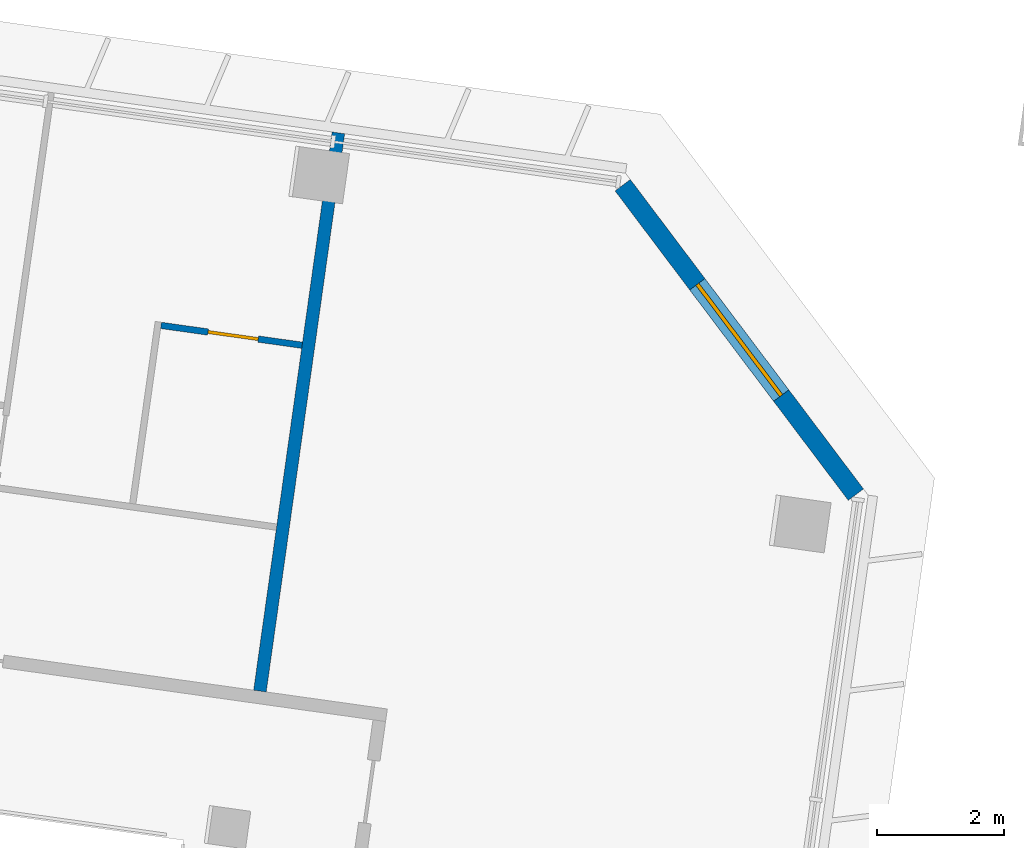
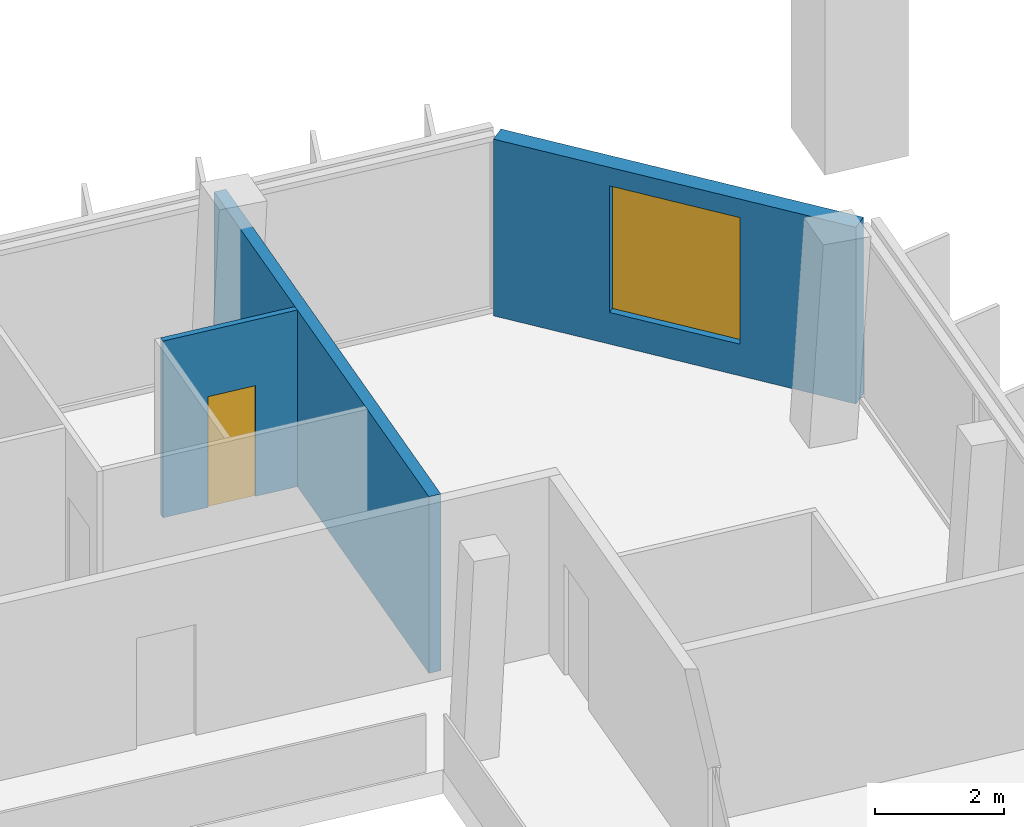
# One storey, part 16 of 23: 3 walls, 1 door, 1 window, 2 openings.
"""IFC4 building model written with IfcOpenShell, lengths in metres."""

from ifc_helpers import new_model, si_unit, direction, frame, frame_2d, origin, place, context, subcontext, project, spatial, rectangle, extrude, material, layer, layer_set, type_object, element, fill, save


model = new_model("IFC4")

# Units and contexts
model_context = context("Model", 3, precision=1e-05, world=origin(), true_north=direction((0.0, 1.0)))
body_context = subcontext(model_context, "Body", "Model", "MODEL_VIEW")
ifc_project = project(units=[si_unit("LENGTHUNIT", "METRE"), si_unit("AREAUNIT", "SQUARE_METRE"), si_unit("VOLUMEUNIT", "CUBIC_METRE"), si_unit("PLANEANGLEUNIT", "RADIAN"), si_unit("MASSUNIT", "GRAM", prefix="KILO")], contexts=[model_context])

# Site, building, storey
site_placement = place(None, origin())
site = spatial("IfcSite", under=ifc_project, at=site_placement, CompositionType="ELEMENT")
building_placement = place(site_placement, origin())
building = spatial("IfcBuilding", under=site, at=building_placement, Name="Mirante Cascada Hotel Towers", CompositionType="ELEMENT")
storey_placement = place(building_placement, frame((0.0, 0.0, 180.2)))
storey = spatial("IfcBuildingStorey", under=building, at=storey_placement, Name="L42", CompositionType="ELEMENT", Elevation=180.2)

# Wall
ifc_material_1 = material(Name="Fire-rated plasterboard on metal studs")
ifc_layer_1 = layer(ifc_material_1, 0.2)
ifc_layer_set_1 = layer_set([ifc_layer_1], Name="Compartment wall 200 EI 120")
wall_type_1 = type_object("IfcWallType", Name="Compartment wall 200 EI 120", PredefinedType="PARTITIONING", material=ifc_layer_set_1)
wall_1_placement = place(storey_placement, frame((-35.4076, 17.9467, 0.0), z_axis=(0.0, 0.0, 1.0), x_axis=(-0.1391684, -0.9902687, 0.0)))
element("IfcWall", 1, at=wall_1_placement, inside=storey, type_object=wall_type_1, Name="Wall 1-L42-28", PredefinedType="PARTITIONING", context=body_context, shape_type="SweptSolid", body=[
    extrude(rectangle(XDim=8.9, YDim=0.2, at=frame_2d((4.45, 0.0))), origin(), (0.0, 0.0, 1.0), 3.35),
])

# Wall, opening, door
ifc_material_2 = material(Name="Plasterboard on metal studs")
ifc_layer_2 = layer(ifc_material_2, 0.1)
ifc_layer_set_2 = layer_set([ifc_layer_2], Name="Partition 100")
wall_type_2 = type_object("IfcWallType", Name="Partition 100", PredefinedType="PARTITIONING", material=ifc_layer_set_2)
wall_2_placement = place(storey_placement, frame((-38.2079, 14.9069, 0.0), z_axis=(0.0, 0.0, 1.0), x_axis=(0.9902643, -0.1391997, 0.0)))
wall_2 = element("IfcWall", 2, at=wall_2_placement, inside=storey, type_object=wall_type_2, Name="Wall 1-L42-18", PredefinedType="PARTITIONING", context=body_context, shape_type="SweptSolid", body=[
    extrude(rectangle(XDim=2.25, YDim=0.1, at=frame_2d((1.125, 0.0))), origin(), (0.0, 0.0, 1.0), 3.35),
])
opening_1_placement = place(wall_2_placement, frame((0.75, 0.0, 0.0)))
opening_1 = element("IfcOpeningElement", 3, at=opening_1_placement, cuts=wall_2, Name="Opening D1-L42-15", PredefinedType="OPENING", context=body_context, shape_type="SweptSolid", body=[
    extrude(rectangle(XDim=0.8, YDim=2.1, at=frame_2d((0.4, 1.05))), frame((0.0, 0.05, 0.0), z_axis=(0.0, -1.0, 0.0), x_axis=(1.0, 0.0, 0.0)), (0.0, 0.0, 1.0), 0.1),
])
ifc_material_3 = material(Name="Timber door leaf", Category="wood")
door_type = type_object("IfcDoorType", Name="Bathroom door DG4 800x2100", OperationType="SINGLE_SWING_LEFT", PredefinedType="DOOR", material=ifc_material_3)
door_placement = place(opening_1_placement, origin())
door = element("IfcDoor", 4, at=door_placement, inside=storey, type_object=door_type, Name="Door D1-L42-15", OperationType="SINGLE_SWING_LEFT", OverallHeight=2.1, OverallWidth=0.8, PredefinedType="DOOR", context=body_context, shape_type="SweptSolid", body=[
    extrude(rectangle(XDim=0.8, YDim=2.1, at=frame_2d((0.4, 1.05))), frame((0.0, 0.025, 0.0), z_axis=(0.0, -1.0, 0.0), x_axis=(1.0, 0.0, 0.0)), (0.0, 0.0, 1.0), 0.05),
])
fill(opening_1, door)

# Wall, opening, window
ifc_material_4 = material(Name="Precast concrete C40/50", Category="concrete")
ifc_layer_3 = layer(ifc_material_4, 0.3)
ifc_layer_set_3 = layer_set([ifc_layer_3], Name="Precast concrete C40/50 cladding wall 300")
wall_type_3 = type_object("IfcWallType", Name="Precast concrete C40/50 cladding wall 300", PredefinedType="STANDARD", material=ifc_layer_set_3)
wall_3_placement = place(storey_placement, frame((-30.9182, 17.12, 0.0), z_axis=(0.0, 0.0, 1.0), x_axis=(0.6018141, -0.7986362, 0.0)))
wall_3 = element("IfcWall", 5, at=wall_3_placement, inside=storey, type_object=wall_type_3, Name="Corner cladding wall T1 L42 front inner", PredefinedType="STANDARD", context=body_context, shape_type="SweptSolid", body=[
    extrude(rectangle(XDim=6.1157, YDim=0.3, at=frame_2d((3.0578, 0.0))), origin(), (0.0, 0.0, 1.0), 3.35),
])
opening_2_placement = place(wall_3_placement, frame((1.9578, 0.0, 0.6)))
opening_2 = element("IfcOpeningElement", 6, at=opening_2_placement, cuts=wall_3, Name="Opening W1-42-03", PredefinedType="OPENING", context=body_context, shape_type="SweptSolid", body=[
    extrude(rectangle(XDim=2.2, YDim=2.4, at=frame_2d((1.1, 1.2))), frame((0.0, 0.15, 0.0), z_axis=(0.0, -1.0, 0.0), x_axis=(1.0, 0.0, 0.0)), (0.0, 0.0, 1.0), 0.3),
])
ifc_material_5 = material(Name="Aluminium frame with clear double glazing", Category="aluminium")
window_type = type_object("IfcWindowType", Name="Corner suite window 2200x2400", PartitioningType="DOUBLE_PANEL_VERTICAL", PredefinedType="WINDOW", material=ifc_material_5)
window_placement = place(opening_2_placement, origin())
window = element("IfcWindow", 7, at=window_placement, inside=storey, type_object=window_type, Name="Window W1-42-03", OverallHeight=2.4, OverallWidth=2.2, PartitioningType="SINGLE_PANEL", PredefinedType="WINDOW", context=body_context, shape_type="SweptSolid", body=[
    extrude(rectangle(XDim=2.2, YDim=2.4, at=frame_2d((1.1, 1.2))), frame((0.0, 0.03, 0.0), z_axis=(0.0, -1.0, 0.0), x_axis=(1.0, 0.0, 0.0)), (0.0, 0.0, 1.0), 0.06),
])
fill(opening_2, window)

save(model, "model.ifc")
